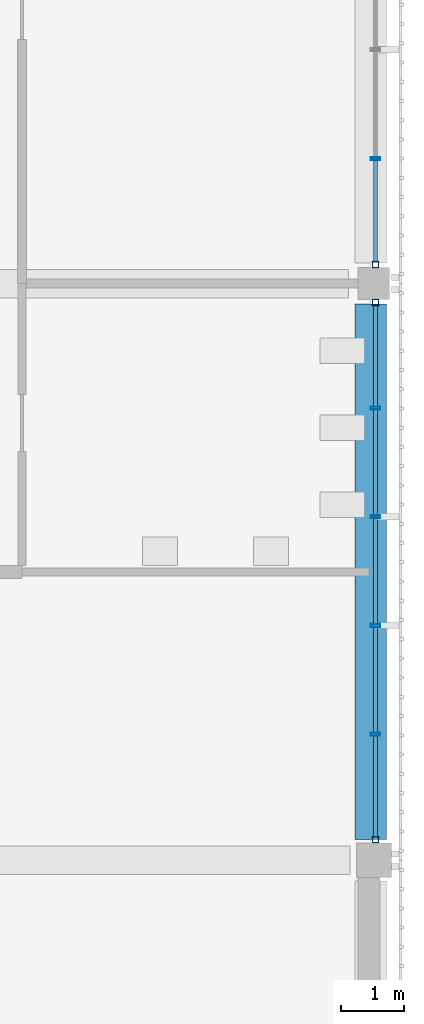
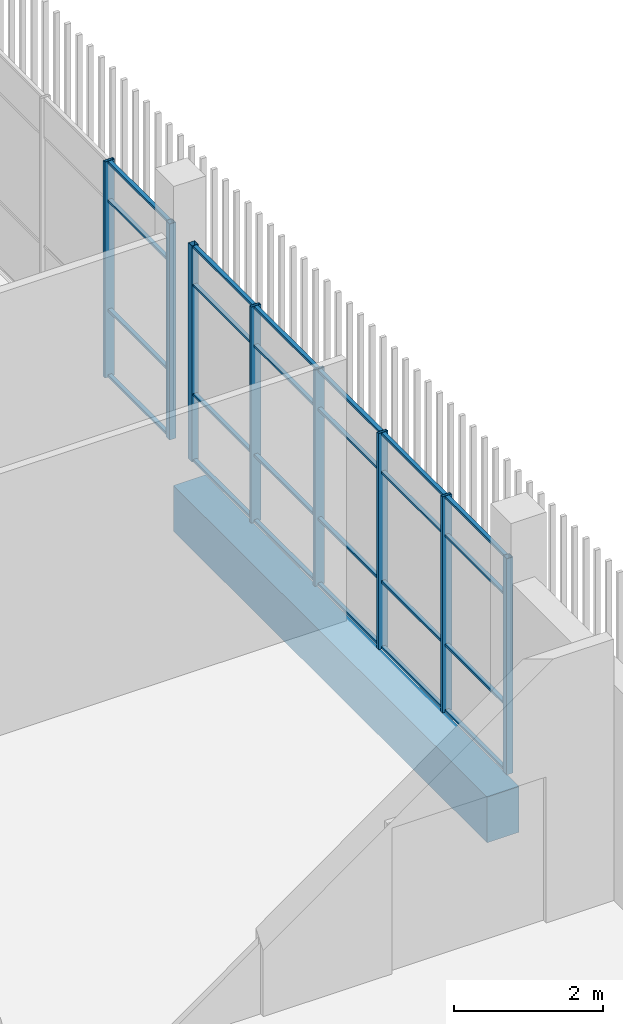
# One storey, part 56 of 139: 32 members, 1 beam, 2 elements without a shape of their own.
"""IFC4 building model written with IfcOpenShell, lengths in metres."""

from ifc_helpers import new_model, si_unit, direction, frame, origin, origin_2d, place, context, subcontext, project, spatial, rectangle, hollow_rectangle, extrude, material, layer, layer_set, material_profile, profile_set, type_object, element, aggregate, save


model = new_model("IFC4")

# Units and contexts
model_context = context("Model", 3, precision=1e-05, world=origin(), true_north=direction((0.0, 1.0)))
body_context = subcontext(model_context, "Body", "Model", "MODEL_VIEW")
ifc_project = project(units=[si_unit("LENGTHUNIT", "METRE"), si_unit("AREAUNIT", "SQUARE_METRE"), si_unit("VOLUMEUNIT", "CUBIC_METRE"), si_unit("PLANEANGLEUNIT", "RADIAN"), si_unit("MASSUNIT", "GRAM", prefix="KILO")], contexts=[model_context])

# Site, building, storey
site_placement = place(None, origin())
site = spatial("IfcSite", under=ifc_project, at=site_placement, CompositionType="ELEMENT")
building_placement = place(site_placement, origin())
building = spatial("IfcBuilding", under=site, at=building_placement, Name="Shirokan Park Arena", CompositionType="ELEMENT")
storey_placement = place(building_placement, frame((0.0, 0.0, 15.469970703125)))
storey = spatial("IfcBuildingStorey", under=building, at=storey_placement, Name="L03", CompositionType="ELEMENT", Elevation=15.469970703125)

# Curtain wall, members
ifc_material_1 = material(Name="Steel and glass curtain wall", Category="steel")
ifc_layer = layer(ifc_material_1, 0.14990234375)
ifc_layer_set = layer_set([ifc_layer], Name="Steel and glass curtain wall 150 mm")
curtain_wall_type = type_object("IfcCurtainWallType", Name="Curtain wall exposed bay 150", PredefinedType="NOTDEFINED", material=ifc_layer_set)
curtain_wall_1_placement = place(storey_placement, origin())
curtain_wall_1 = element("IfcCurtainWall", 1, at=curtain_wall_1_placement, inside=storey, type_object=curtain_wall_type, Name="Curtain wall east bay 5 L03", PredefinedType="NOTDEFINED")
ifc_material_2 = material(Name="Steel S355", Category="steel")
ifc_material_profile_1 = material_profile(ifc_material_2, hollow_rectangle(XDim=0.10009765625, YDim=0.10009765625, WallThickness=0.006103515625, at=origin_2d()), Name="RHS 100x100x6")
ifc_profile_set_1 = profile_set([ifc_material_profile_1], Name="Steel S355")
member_type_1 = type_object("IfcMemberType", Name="Mullion RHS 100x100x6", PredefinedType="MULLION", material=ifc_profile_set_1)
member_1_placement = place(storey_placement, frame((145.675048828125, 36.72509765625, 0.0), z_axis=(0.0, 0.0, 1.0), x_axis=(-1.0, 0.0, 0.0)))
member_1 = element("IfcMember", 2, at=member_1_placement, type_object=member_type_1, Name="CW1 mullion 1", PredefinedType="MULLION", context=body_context, shape_type="SweptSolid", body=[
    extrude(hollow_rectangle(XDim=0.10009765625, YDim=0.10009765625, WallThickness=0.006103515625, at=origin_2d()), origin(), (0.0, 0.0, 1.0), 3.550048828125),
])
member_2_placement = place(storey_placement, frame((145.675048828125, 45.199951171875, 0.0), z_axis=(0.0, 0.0, 1.0), x_axis=(-1.0, 0.0, 0.0)))
member_2 = element("IfcMember", 3, at=member_2_placement, type_object=member_type_1, Name="CW1 mullion 6", PredefinedType="MULLION", context=body_context, shape_type="SweptSolid", body=[
    extrude(hollow_rectangle(XDim=0.10009765625, YDim=0.10009765625, WallThickness=0.006103515625, at=origin_2d()), origin(), (0.0, 0.0, 1.0), 3.550048828125),
])

# Curtain wall, member
curtain_wall_2_placement = place(storey_placement, origin())
curtain_wall_2 = element("IfcCurtainWall", 4, at=curtain_wall_2_placement, inside=storey, type_object=curtain_wall_type, Name="Curtain wall east bay 6 L03", PredefinedType="NOTDEFINED")
member_3_placement = place(storey_placement, frame((145.675048828125, 45.800048828125, 0.0), z_axis=(0.0, 0.0, 1.0), x_axis=(-1.0, 0.0, 0.0)))
member_3 = element("IfcMember", 5, at=member_3_placement, type_object=member_type_1, Name="CW1 mullion 1", PredefinedType="MULLION", context=body_context, shape_type="SweptSolid", body=[
    extrude(hollow_rectangle(XDim=0.10009765625, YDim=0.10009765625, WallThickness=0.006103515625, at=origin_2d()), origin(), (0.0, 0.0, 1.0), 3.550048828125),
])

# Member
ifc_material_profile_2 = material_profile(ifc_material_2, hollow_rectangle(XDim=0.14990234375, YDim=0.050048828125, WallThickness=0.006103515625, at=origin_2d()), Name="RHS 150x50x6")
ifc_profile_set_2 = profile_set([ifc_material_profile_2], Name="Steel S355")
member_type_2 = type_object("IfcMemberType", Name="Mullion RHS 150x50x6", PredefinedType="MULLION", material=ifc_profile_set_2)
member_4_placement = place(storey_placement, frame((145.675048828125, 38.389892578125, 0.0), z_axis=(0.0, 0.0, 1.0), x_axis=(-1.0, 0.0, 0.0)))
member_4 = element("IfcMember", 6, at=member_4_placement, type_object=member_type_2, Name="CW1 mullion 2", PredefinedType="MULLION", context=body_context, shape_type="SweptSolid", body=[
    extrude(hollow_rectangle(XDim=0.14990234375, YDim=0.050048828125, WallThickness=0.006103515625, at=origin_2d()), origin(), (0.0, 0.0, 1.0), 3.550048828125),
])

member_5_placement = place(storey_placement, frame((145.675048828125, 40.10498046875, 0.0), z_axis=(0.0, 0.0, 1.0), x_axis=(-1.0, 0.0, 0.0)))
member_5 = element("IfcMember", 7, at=member_5_placement, type_object=member_type_2, Name="CW1 mullion 3", PredefinedType="MULLION", context=body_context, shape_type="SweptSolid", body=[
    extrude(hollow_rectangle(XDim=0.14990234375, YDim=0.050048828125, WallThickness=0.006103515625, at=origin_2d()), origin(), (0.0, 0.0, 1.0), 3.550048828125),
])

member_6_placement = place(storey_placement, frame((145.675048828125, 41.820068359375, 0.0), z_axis=(0.0, 0.0, 1.0), x_axis=(-1.0, 0.0, 0.0)))
member_6 = element("IfcMember", 8, at=member_6_placement, type_object=member_type_2, Name="CW1 mullion 4", PredefinedType="MULLION", context=body_context, shape_type="SweptSolid", body=[
    extrude(hollow_rectangle(XDim=0.14990234375, YDim=0.050048828125, WallThickness=0.006103515625, at=origin_2d()), origin(), (0.0, 0.0, 1.0), 3.550048828125),
])

member_7_placement = place(storey_placement, frame((145.675048828125, 43.534912109375, 0.0), z_axis=(0.0, 0.0, 1.0), x_axis=(-1.0, 0.0, 0.0)))
member_7 = element("IfcMember", 9, at=member_7_placement, type_object=member_type_2, Name="CW1 mullion 5", PredefinedType="MULLION", context=body_context, shape_type="SweptSolid", body=[
    extrude(hollow_rectangle(XDim=0.14990234375, YDim=0.050048828125, WallThickness=0.006103515625, at=origin_2d()), origin(), (0.0, 0.0, 1.0), 3.550048828125),
])

member_8_placement = place(storey_placement, frame((145.675048828125, 47.469970703125, 0.0), z_axis=(0.0, 0.0, 1.0), x_axis=(-1.0, 0.0, 0.0)))
member_8 = element("IfcMember", 10, at=member_8_placement, type_object=member_type_2, Name="CW1 mullion 2", PredefinedType="MULLION", context=body_context, shape_type="SweptSolid", body=[
    extrude(hollow_rectangle(XDim=0.14990234375, YDim=0.050048828125, WallThickness=0.006103515625, at=origin_2d()), origin(), (0.0, 0.0, 1.0), 3.550048828125),
])

# Beam
ifc_material_3 = material(Name="Concrete C35", Category="concrete")
ifc_material_profile_3 = material_profile(ifc_material_3, rectangle(XDim=0.5, YDim=0.75, at=origin_2d()), Name="500x750")
ifc_profile_set_3 = profile_set([ifc_material_profile_3], Name="Concrete C35")
beam_type = type_object("IfcBeamType", Name="RC girder 500x750", PredefinedType="BEAM", material=ifc_profile_set_3)
beam_placement = place(storey_placement, frame((145.60009765625, 36.72509765625, -0.675048828125), z_axis=(0.0, 1.0, 0.0), x_axis=(-1.0, 0.0, 0.0)))
element("IfcBeam", 11, at=beam_placement, inside=storey, type_object=beam_type, Name="Girder 17E-17F L03", PredefinedType="BEAM", context=body_context, shape_type="SweptSolid", body=[
    extrude(rectangle(XDim=0.5, YDim=0.75, at=origin_2d()), origin(), (0.0, 0.0, 1.0), 8.44970703125),
])

# Member
ifc_material_profile_4 = material_profile(ifc_material_2, hollow_rectangle(XDim=0.06005859375, YDim=0.0400390625, WallThickness=0.00390625, at=origin_2d()), Name="RHS 60x40x4")
ifc_profile_set_4 = profile_set([ifc_material_profile_4], Name="Steel S355")
member_type_3 = type_object("IfcMemberType", Name="Transom RHS 60x40x4", PredefinedType="MULLION", material=ifc_profile_set_4)
member_9_placement = place(storey_placement, frame((145.675048828125, 36.77490234375, 0.02001953125), z_axis=(0.0, 1.0, 0.0), x_axis=(-1.0, 0.0, 0.0)))
member_9 = element("IfcMember", 12, at=member_9_placement, type_object=member_type_3, Name="CW1 transom 1.1", PredefinedType="MULLION", context=body_context, shape_type="SweptSolid", body=[
    extrude(hollow_rectangle(XDim=0.06005859375, YDim=0.0400390625, WallThickness=0.00390625, at=origin_2d()), origin(), (0.0, 0.0, 1.0), 1.590087890625),
])

member_10_placement = place(storey_placement, frame((145.675048828125, 36.77490234375, 1.10009765625), z_axis=(0.0, 1.0, 0.0), x_axis=(-1.0, 0.0, 0.0)))
member_10 = element("IfcMember", 13, at=member_10_placement, type_object=member_type_3, Name="CW1 transom 1.2", PredefinedType="MULLION", context=body_context, shape_type="SweptSolid", body=[
    extrude(hollow_rectangle(XDim=0.06005859375, YDim=0.0400390625, WallThickness=0.00390625, at=origin_2d()), origin(), (0.0, 0.0, 1.0), 1.590087890625),
])

member_11_placement = place(storey_placement, frame((145.675048828125, 36.77490234375, 2.900146484375), z_axis=(0.0, 1.0, 0.0), x_axis=(-1.0, 0.0, 0.0)))
member_11 = element("IfcMember", 14, at=member_11_placement, type_object=member_type_3, Name="CW1 transom 1.3", PredefinedType="MULLION", context=body_context, shape_type="SweptSolid", body=[
    extrude(hollow_rectangle(XDim=0.06005859375, YDim=0.0400390625, WallThickness=0.00390625, at=origin_2d()), origin(), (0.0, 0.0, 1.0), 1.590087890625),
])

member_12_placement = place(storey_placement, frame((145.675048828125, 36.77490234375, 3.530029296875), z_axis=(0.0, 1.0, 0.0), x_axis=(-1.0, 0.0, 0.0)))
member_12 = element("IfcMember", 15, at=member_12_placement, type_object=member_type_3, Name="CW1 transom 1.4", PredefinedType="MULLION", context=body_context, shape_type="SweptSolid", body=[
    extrude(hollow_rectangle(XDim=0.06005859375, YDim=0.0400390625, WallThickness=0.00390625, at=origin_2d()), origin(), (0.0, 0.0, 1.0), 1.590087890625),
])

member_13_placement = place(storey_placement, frame((145.675048828125, 38.4150390625, 0.02001953125), z_axis=(0.0, 1.0, 0.0), x_axis=(-1.0, 0.0, 0.0)))
member_13 = element("IfcMember", 16, at=member_13_placement, type_object=member_type_3, Name="CW1 transom 2.1", PredefinedType="MULLION", context=body_context, shape_type="SweptSolid", body=[
    extrude(hollow_rectangle(XDim=0.06005859375, YDim=0.0400390625, WallThickness=0.00390625, at=origin_2d()), origin(), (0.0, 0.0, 1.0), 1.6650390625),
])

member_14_placement = place(storey_placement, frame((145.675048828125, 38.4150390625, 1.10009765625), z_axis=(0.0, 1.0, 0.0), x_axis=(-1.0, 0.0, 0.0)))
member_14 = element("IfcMember", 17, at=member_14_placement, type_object=member_type_3, Name="CW1 transom 2.2", PredefinedType="MULLION", context=body_context, shape_type="SweptSolid", body=[
    extrude(hollow_rectangle(XDim=0.06005859375, YDim=0.0400390625, WallThickness=0.00390625, at=origin_2d()), origin(), (0.0, 0.0, 1.0), 1.6650390625),
])

member_15_placement = place(storey_placement, frame((145.675048828125, 38.4150390625, 2.900146484375), z_axis=(0.0, 1.0, 0.0), x_axis=(-1.0, 0.0, 0.0)))
member_15 = element("IfcMember", 18, at=member_15_placement, type_object=member_type_3, Name="CW1 transom 2.3", PredefinedType="MULLION", context=body_context, shape_type="SweptSolid", body=[
    extrude(hollow_rectangle(XDim=0.06005859375, YDim=0.0400390625, WallThickness=0.00390625, at=origin_2d()), origin(), (0.0, 0.0, 1.0), 1.6650390625),
])

member_16_placement = place(storey_placement, frame((145.675048828125, 38.4150390625, 3.530029296875), z_axis=(0.0, 1.0, 0.0), x_axis=(-1.0, 0.0, 0.0)))
member_16 = element("IfcMember", 19, at=member_16_placement, type_object=member_type_3, Name="CW1 transom 2.4", PredefinedType="MULLION", context=body_context, shape_type="SweptSolid", body=[
    extrude(hollow_rectangle(XDim=0.06005859375, YDim=0.0400390625, WallThickness=0.00390625, at=origin_2d()), origin(), (0.0, 0.0, 1.0), 1.6650390625),
])

member_17_placement = place(storey_placement, frame((145.675048828125, 40.1298828125, 0.02001953125), z_axis=(0.0, 1.0, 0.0), x_axis=(-1.0, 0.0, 0.0)))
member_17 = element("IfcMember", 20, at=member_17_placement, type_object=member_type_3, Name="CW1 transom 3.1", PredefinedType="MULLION", context=body_context, shape_type="SweptSolid", body=[
    extrude(hollow_rectangle(XDim=0.06005859375, YDim=0.0400390625, WallThickness=0.00390625, at=origin_2d()), origin(), (0.0, 0.0, 1.0), 1.6650390625),
])

member_18_placement = place(storey_placement, frame((145.675048828125, 40.1298828125, 1.10009765625), z_axis=(0.0, 1.0, 0.0), x_axis=(-1.0, 0.0, 0.0)))
member_18 = element("IfcMember", 21, at=member_18_placement, type_object=member_type_3, Name="CW1 transom 3.2", PredefinedType="MULLION", context=body_context, shape_type="SweptSolid", body=[
    extrude(hollow_rectangle(XDim=0.06005859375, YDim=0.0400390625, WallThickness=0.00390625, at=origin_2d()), origin(), (0.0, 0.0, 1.0), 1.6650390625),
])

member_19_placement = place(storey_placement, frame((145.675048828125, 40.1298828125, 2.900146484375), z_axis=(0.0, 1.0, 0.0), x_axis=(-1.0, 0.0, 0.0)))
member_19 = element("IfcMember", 22, at=member_19_placement, type_object=member_type_3, Name="CW1 transom 3.3", PredefinedType="MULLION", context=body_context, shape_type="SweptSolid", body=[
    extrude(hollow_rectangle(XDim=0.06005859375, YDim=0.0400390625, WallThickness=0.00390625, at=origin_2d()), origin(), (0.0, 0.0, 1.0), 1.6650390625),
])

member_20_placement = place(storey_placement, frame((145.675048828125, 40.1298828125, 3.530029296875), z_axis=(0.0, 1.0, 0.0), x_axis=(-1.0, 0.0, 0.0)))
member_20 = element("IfcMember", 23, at=member_20_placement, type_object=member_type_3, Name="CW1 transom 3.4", PredefinedType="MULLION", context=body_context, shape_type="SweptSolid", body=[
    extrude(hollow_rectangle(XDim=0.06005859375, YDim=0.0400390625, WallThickness=0.00390625, at=origin_2d()), origin(), (0.0, 0.0, 1.0), 1.6650390625),
])

member_21_placement = place(storey_placement, frame((145.675048828125, 41.844970703125, 0.02001953125), z_axis=(0.0, 1.0, 0.0), x_axis=(-1.0, 0.0, 0.0)))
member_21 = element("IfcMember", 24, at=member_21_placement, type_object=member_type_3, Name="CW1 transom 4.1", PredefinedType="MULLION", context=body_context, shape_type="SweptSolid", body=[
    extrude(hollow_rectangle(XDim=0.06005859375, YDim=0.0400390625, WallThickness=0.00390625, at=origin_2d()), origin(), (0.0, 0.0, 1.0), 1.6650390625),
])

member_22_placement = place(storey_placement, frame((145.675048828125, 41.844970703125, 1.10009765625), z_axis=(0.0, 1.0, 0.0), x_axis=(-1.0, 0.0, 0.0)))
member_22 = element("IfcMember", 25, at=member_22_placement, type_object=member_type_3, Name="CW1 transom 4.2", PredefinedType="MULLION", context=body_context, shape_type="SweptSolid", body=[
    extrude(hollow_rectangle(XDim=0.06005859375, YDim=0.0400390625, WallThickness=0.00390625, at=origin_2d()), origin(), (0.0, 0.0, 1.0), 1.6650390625),
])

member_23_placement = place(storey_placement, frame((145.675048828125, 41.844970703125, 2.900146484375), z_axis=(0.0, 1.0, 0.0), x_axis=(-1.0, 0.0, 0.0)))
member_23 = element("IfcMember", 26, at=member_23_placement, type_object=member_type_3, Name="CW1 transom 4.3", PredefinedType="MULLION", context=body_context, shape_type="SweptSolid", body=[
    extrude(hollow_rectangle(XDim=0.06005859375, YDim=0.0400390625, WallThickness=0.00390625, at=origin_2d()), origin(), (0.0, 0.0, 1.0), 1.6650390625),
])

member_24_placement = place(storey_placement, frame((145.675048828125, 41.844970703125, 3.530029296875), z_axis=(0.0, 1.0, 0.0), x_axis=(-1.0, 0.0, 0.0)))
member_24 = element("IfcMember", 27, at=member_24_placement, type_object=member_type_3, Name="CW1 transom 4.4", PredefinedType="MULLION", context=body_context, shape_type="SweptSolid", body=[
    extrude(hollow_rectangle(XDim=0.06005859375, YDim=0.0400390625, WallThickness=0.00390625, at=origin_2d()), origin(), (0.0, 0.0, 1.0), 1.6650390625),
])

member_25_placement = place(storey_placement, frame((145.675048828125, 43.56005859375, 0.02001953125), z_axis=(0.0, 1.0, 0.0), x_axis=(-1.0, 0.0, 0.0)))
member_25 = element("IfcMember", 28, at=member_25_placement, type_object=member_type_3, Name="CW1 transom 5.1", PredefinedType="MULLION", context=body_context, shape_type="SweptSolid", body=[
    extrude(hollow_rectangle(XDim=0.06005859375, YDim=0.0400390625, WallThickness=0.00390625, at=origin_2d()), origin(), (0.0, 0.0, 1.0), 1.58984375),
])

member_26_placement = place(storey_placement, frame((145.675048828125, 43.56005859375, 1.10009765625), z_axis=(0.0, 1.0, 0.0), x_axis=(-1.0, 0.0, 0.0)))
member_26 = element("IfcMember", 29, at=member_26_placement, type_object=member_type_3, Name="CW1 transom 5.2", PredefinedType="MULLION", context=body_context, shape_type="SweptSolid", body=[
    extrude(hollow_rectangle(XDim=0.06005859375, YDim=0.0400390625, WallThickness=0.00390625, at=origin_2d()), origin(), (0.0, 0.0, 1.0), 1.58984375),
])

member_27_placement = place(storey_placement, frame((145.675048828125, 43.56005859375, 2.900146484375), z_axis=(0.0, 1.0, 0.0), x_axis=(-1.0, 0.0, 0.0)))
member_27 = element("IfcMember", 30, at=member_27_placement, type_object=member_type_3, Name="CW1 transom 5.3", PredefinedType="MULLION", context=body_context, shape_type="SweptSolid", body=[
    extrude(hollow_rectangle(XDim=0.06005859375, YDim=0.0400390625, WallThickness=0.00390625, at=origin_2d()), origin(), (0.0, 0.0, 1.0), 1.58984375),
])

member_28_placement = place(storey_placement, frame((145.675048828125, 43.56005859375, 3.530029296875), z_axis=(0.0, 1.0, 0.0), x_axis=(-1.0, 0.0, 0.0)))
member_28 = element("IfcMember", 31, at=member_28_placement, type_object=member_type_3, Name="CW1 transom 5.4", PredefinedType="MULLION", context=body_context, shape_type="SweptSolid", body=[
    extrude(hollow_rectangle(XDim=0.06005859375, YDim=0.0400390625, WallThickness=0.00390625, at=origin_2d()), origin(), (0.0, 0.0, 1.0), 1.58984375),
])

aggregate(curtain_wall_1, [member_1, member_4, member_5, member_6, member_7, member_2, member_9, member_10, member_11, member_12, member_13, member_14, member_15, member_16, member_17, member_18, member_19, member_20, member_21, member_22, member_23, member_24, member_25, member_26, member_27, member_28])

member_29_placement = place(storey_placement, frame((145.675048828125, 45.85009765625, 0.02001953125), z_axis=(0.0, 1.0, 0.0), x_axis=(-1.0, 0.0, 0.0)))
member_29 = element("IfcMember", 32, at=member_29_placement, type_object=member_type_3, Name="CW1 transom 1.1", PredefinedType="MULLION", context=body_context, shape_type="SweptSolid", body=[
    extrude(hollow_rectangle(XDim=0.06005859375, YDim=0.0400390625, WallThickness=0.00390625, at=origin_2d()), origin(), (0.0, 0.0, 1.0), 1.594970703125),
])

member_30_placement = place(storey_placement, frame((145.675048828125, 45.85009765625, 1.10009765625), z_axis=(0.0, 1.0, 0.0), x_axis=(-1.0, 0.0, 0.0)))
member_30 = element("IfcMember", 33, at=member_30_placement, type_object=member_type_3, Name="CW1 transom 1.2", PredefinedType="MULLION", context=body_context, shape_type="SweptSolid", body=[
    extrude(hollow_rectangle(XDim=0.06005859375, YDim=0.0400390625, WallThickness=0.00390625, at=origin_2d()), origin(), (0.0, 0.0, 1.0), 1.594970703125),
])

member_31_placement = place(storey_placement, frame((145.675048828125, 45.85009765625, 2.900146484375), z_axis=(0.0, 1.0, 0.0), x_axis=(-1.0, 0.0, 0.0)))
member_31 = element("IfcMember", 34, at=member_31_placement, type_object=member_type_3, Name="CW1 transom 1.3", PredefinedType="MULLION", context=body_context, shape_type="SweptSolid", body=[
    extrude(hollow_rectangle(XDim=0.06005859375, YDim=0.0400390625, WallThickness=0.00390625, at=origin_2d()), origin(), (0.0, 0.0, 1.0), 1.594970703125),
])

member_32_placement = place(storey_placement, frame((145.675048828125, 45.85009765625, 3.530029296875), z_axis=(0.0, 1.0, 0.0), x_axis=(-1.0, 0.0, 0.0)))
member_32 = element("IfcMember", 35, at=member_32_placement, type_object=member_type_3, Name="CW1 transom 1.4", PredefinedType="MULLION", context=body_context, shape_type="SweptSolid", body=[
    extrude(hollow_rectangle(XDim=0.06005859375, YDim=0.0400390625, WallThickness=0.00390625, at=origin_2d()), origin(), (0.0, 0.0, 1.0), 1.594970703125),
])

aggregate(curtain_wall_2, [member_3, member_8, member_29, member_30, member_31, member_32])

save(model, "model.ifc")
